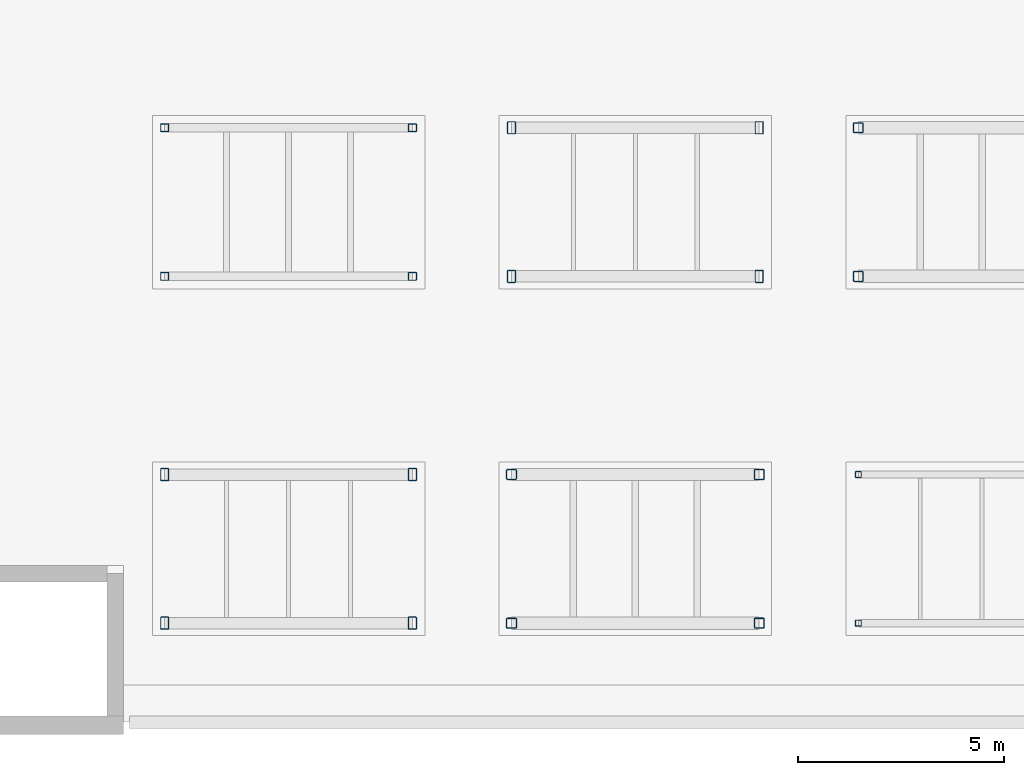
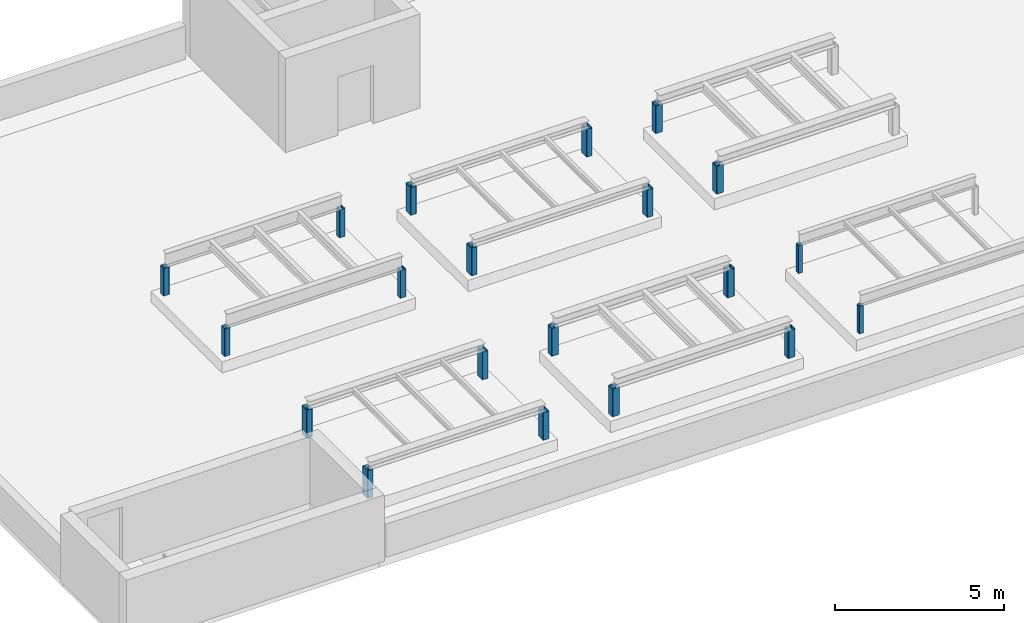
# One storey, part 1 of 18: 20 columns.
"""IFC4 building model written with IfcOpenShell, lengths in metres."""

from ifc_helpers import new_model, si_unit, direction, frame, origin, origin_2d, place, context, subcontext, project, spatial, hollow_rectangle, extrude, material, material_profile, profile_set, type_object, element, save


model = new_model("IFC4")

# Units and contexts
model_context = context("Model", 3, precision=1e-05, world=origin(), true_north=direction((0.0, 1.0)))
body_context = subcontext(model_context, "Body", "Model", "MODEL_VIEW")
ifc_project = project(units=[si_unit("LENGTHUNIT", "METRE"), si_unit("AREAUNIT", "SQUARE_METRE"), si_unit("VOLUMEUNIT", "CUBIC_METRE"), si_unit("PLANEANGLEUNIT", "RADIAN"), si_unit("MASSUNIT", "GRAM", prefix="KILO")], contexts=[model_context])

# Site, building, storey
site_placement = place(None, origin())
site = spatial("IfcSite", under=ifc_project, at=site_placement, CompositionType="ELEMENT")
building_placement = place(site_placement, origin())
building = spatial("IfcBuilding", under=site, at=building_placement, Name="Yavir Park General Hospital", CompositionType="ELEMENT")
storey_placement = place(building_placement, frame((0.0, 0.0, 29.699951171875)))
storey = spatial("IfcBuildingStorey", under=building, at=storey_placement, Name="RF", CompositionType="ELEMENT", Elevation=29.699951171875)

# Columns
ifc_material_1 = material(Name="Steel S355", Category="steel")
ifc_material_profile_1 = material_profile(ifc_material_1, hollow_rectangle(XDim=0.199951171875, YDim=0.300048828125, WallThickness=0.010009765625, InnerFilletRadius=0.014892578125, OuterFilletRadius=0.02001953125, at=origin_2d()), Name="RHS300x200x10")
ifc_profile_set_1 = profile_set([ifc_material_profile_1], Name="Steel S355")
column_type_1 = type_object("IfcColumnType", Name="RHS 300x200x10 platform column", PredefinedType="COLUMN", material=ifc_profile_set_1)
for number, where, z_axis, x_axis, name in (
    (1, (110.39990234375, 2.39990234375, 0.400146484375), (0.0, 0.0, 1.0), (1.0, 0.0, 0.0), "C:PF:PP214A:0"),
    (2, (116.39990234375, 2.39990234375, 0.400146484375), (0.0, 0.0, 1.0), (1.0, 0.0, 0.0), "C:PF:PP214A:1"),
    (3, (110.39990234375, 6.0, 0.400146484375), (0.0, 0.0, 1.0), (1.0, 0.0, 0.0), "C:PF:PP214A:2"),
    (4, (116.39990234375, 6.0, 0.400146484375), (0.0, 0.0, 1.0), (1.0, 0.0, 0.0), "C:PF:PP214A:3"),
    (5, (118.800048828125, 10.800048828125, 0.400146484375), (0.0, 0.0, 1.0), (1.0, 0.0, 0.0), "C:PF:PP215B:0"),
    (6, (124.800048828125, 10.800048828125, 0.400146484375), (0.0, 0.0, 1.0), (1.0, 0.0, 0.0), "C:PF:PP215B:1"),
    (7, (118.800048828125, 14.39990234375, 0.400146484375), (0.0, 0.0, 1.0), (1.0, 0.0, 0.0), "C:PF:PP215B:2"),
    (8, (124.800048828125, 14.39990234375, 0.400146484375), (0.0, 0.0, 1.0), (1.0, 0.0, 0.0), "C:PF:PP215B:3"),
):
    element("IfcColumn", number, at=place(storey_placement, frame(where, z_axis=z_axis, x_axis=x_axis)), inside=storey, type_object=column_type_1, Name=name, PredefinedType="COLUMN", context=body_context, shape_type="SweptSolid", body=[
        extrude(hollow_rectangle(XDim=0.199951171875, YDim=0.300048828125, WallThickness=0.010009765625, InnerFilletRadius=0.014892578125, OuterFilletRadius=0.02001953125, at=origin_2d()), origin(), (0.0, 0.0, 1.0), 1.0),
    ])
ifc_material_2 = material(Name="Steel S355", Category="steel")
ifc_material_profile_2 = material_profile(ifc_material_2, hollow_rectangle(XDim=0.14990234375, YDim=0.14990234375, WallThickness=0.008056640625, InnerFilletRadius=0.011962890625, OuterFilletRadius=0.01611328125, at=origin_2d()), Name="SHS150x150x8")
ifc_profile_set_2 = profile_set([ifc_material_profile_2], Name="Steel S355")
column_type_2 = type_object("IfcColumnType", Name="SHS 150x150x8 platform column", PredefinedType="COLUMN", material=ifc_profile_set_2)
for number, where, z_axis, x_axis, name in (
    (9, (127.199951171875, 2.39990234375, 0.400146484375), (0.0, 0.0, 1.0), (1.0, 0.0, 0.0), "C:PF:PP216A:0"),
    (10, (127.199951171875, 6.0, 0.400146484375), (0.0, 0.0, 1.0), (1.0, 0.0, 0.0), "C:PF:PP216A:2"),
):
    element("IfcColumn", number, at=place(storey_placement, frame(where, z_axis=z_axis, x_axis=x_axis)), inside=storey, type_object=column_type_2, Name=name, PredefinedType="COLUMN", context=body_context, shape_type="SweptSolid", body=[
        extrude(hollow_rectangle(XDim=0.14990234375, YDim=0.14990234375, WallThickness=0.008056640625, InnerFilletRadius=0.011962890625, OuterFilletRadius=0.01611328125, at=origin_2d()), origin(), (0.0, 0.0, 1.0), 1.0),
    ])
ifc_material_3 = material(Name="Steel S355", Category="steel")
ifc_material_profile_3 = material_profile(ifc_material_3, hollow_rectangle(XDim=0.199951171875, YDim=0.199951171875, WallThickness=0.010009765625, InnerFilletRadius=0.014892578125, OuterFilletRadius=0.02001953125, at=origin_2d()), Name="SHS200x200x10")
ifc_profile_set_3 = profile_set([ifc_material_profile_3], Name="Steel S355")
column_type_3 = type_object("IfcColumnType", Name="SHS 200x200x10 platform column", PredefinedType="COLUMN", material=ifc_profile_set_3)
for number, where, z_axis, x_axis, name in (
    (11, (110.39990234375, 10.800048828125, 0.400146484375), (0.0, 0.0, 1.0), (1.0, 0.0, 0.0), "C:PF:PP214B:0"),
    (12, (116.39990234375, 10.800048828125, 0.400146484375), (0.0, 0.0, 1.0), (1.0, 0.0, 0.0), "C:PF:PP214B:1"),
    (13, (110.39990234375, 14.39990234375, 0.400146484375), (0.0, 0.0, 1.0), (1.0, 0.0, 0.0), "C:PF:PP214B:2"),
    (14, (116.39990234375, 14.39990234375, 0.400146484375), (0.0, 0.0, 1.0), (1.0, 0.0, 0.0), "C:PF:PP214B:3"),
):
    element("IfcColumn", number, at=place(storey_placement, frame(where, z_axis=z_axis, x_axis=x_axis)), inside=storey, type_object=column_type_3, Name=name, PredefinedType="COLUMN", context=body_context, shape_type="SweptSolid", body=[
        extrude(hollow_rectangle(XDim=0.199951171875, YDim=0.199951171875, WallThickness=0.010009765625, InnerFilletRadius=0.014892578125, OuterFilletRadius=0.02001953125, at=origin_2d()), origin(), (0.0, 0.0, 1.0), 1.0),
    ])
ifc_material_4 = material(Name="Steel S355", Category="steel")
ifc_material_profile_4 = material_profile(ifc_material_4, hollow_rectangle(XDim=0.25, YDim=0.25, WallThickness=0.012451171875, InnerFilletRadius=0.02490234375, OuterFilletRadius=0.03125, at=origin_2d()), Name="SHS250x250x12.5")
ifc_profile_set_4 = profile_set([ifc_material_profile_4], Name="Steel S355")
column_type_4 = type_object("IfcColumnType", Name="SHS 250x250x12.5 platform column", PredefinedType="COLUMN", material=ifc_profile_set_4)
for number, where, z_axis, x_axis, name in (
    (15, (118.800048828125, 2.39990234375, 0.400146484375), (0.0, 0.0, 1.0), (1.0, 0.0, 0.0), "C:PF:PP215A:0"),
    (16, (124.800048828125, 2.39990234375, 0.400146484375), (0.0, 0.0, 1.0), (1.0, 0.0, 0.0), "C:PF:PP215A:1"),
    (17, (118.800048828125, 6.0, 0.400146484375), (0.0, 0.0, 1.0), (1.0, 0.0, 0.0), "C:PF:PP215A:2"),
    (18, (124.800048828125, 6.0, 0.400146484375), (0.0, 0.0, 1.0), (1.0, 0.0, 0.0), "C:PF:PP215A:3"),
    (19, (127.199951171875, 10.800048828125, 0.400146484375), (0.0, 0.0, 1.0), (1.0, 0.0, 0.0), "C:PF:PP216B:0"),
    (20, (127.199951171875, 14.39990234375, 0.400146484375), (0.0, 0.0, 1.0), (1.0, 0.0, 0.0), "C:PF:PP216B:2"),
):
    element("IfcColumn", number, at=place(storey_placement, frame(where, z_axis=z_axis, x_axis=x_axis)), inside=storey, type_object=column_type_4, Name=name, PredefinedType="COLUMN", context=body_context, shape_type="SweptSolid", body=[
        extrude(hollow_rectangle(XDim=0.25, YDim=0.25, WallThickness=0.012451171875, InnerFilletRadius=0.02490234375, OuterFilletRadius=0.03125, at=origin_2d()), origin(), (0.0, 0.0, 1.0), 1.0),
    ])

save(model, "model.ifc")
